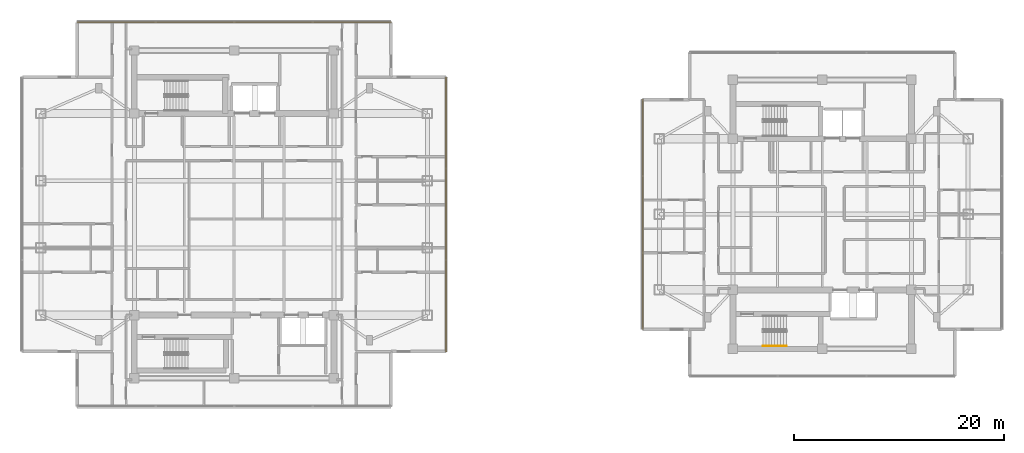
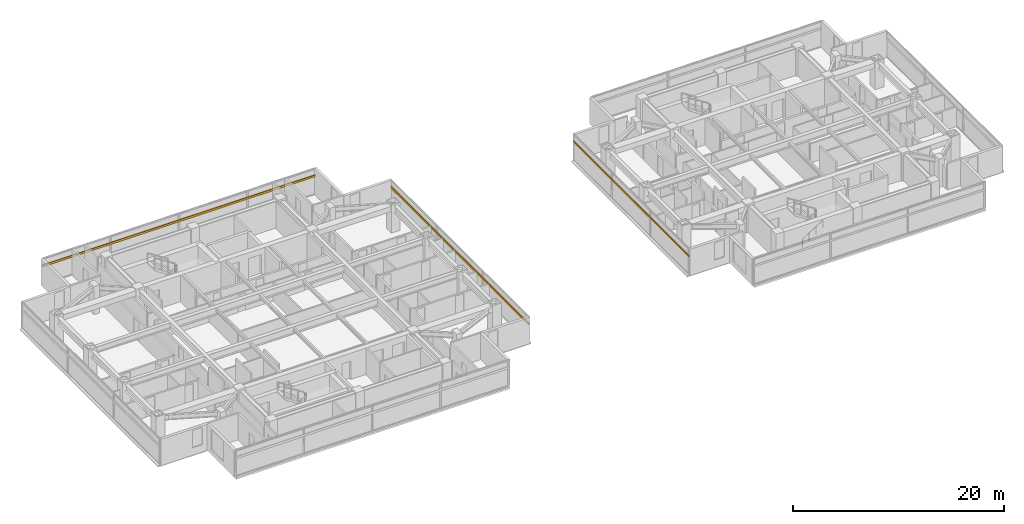
# One storey, part 21 of 24: 3 shading devices, 1 railing.
"""IFC4 building model written with IfcOpenShell, lengths in metres."""

import ifcopenshell
import ifcopenshell.guid

model = None  # the IFC model being written
_history = None  # IfcOwnerHistory: only IFC2X3 demands one
_inside = {}  # id of a spatial element -> (the spatial element, [elements in it])
_under = {}  # id of a project, library or spatial element -> (it, [spatial elements below it])
_declared = {}  # id of a project -> (the project, [libraries it declares])
_typed = {}  # id of a type object -> (the type object, [elements of that type])
_made_of = {}  # id of a material, layer set ... -> (it, [elements and type objects made of it])


def new_model(schema):
    """Start an empty IFC model of exactly this schema.

    Asked for "IFC4X3", IfcOpenShell would pick the latest addendum, in which some entities
    have other attributes; the version numbers below select the first issue.
    IFC2X3 requires an IfcOwnerHistory on every rooted entity: one is made here for all.
    """
    global model, _history
    if schema == "IFC4X3":
        model = ifcopenshell.file(schema_version=(4, 3, 0, 0))
    else:
        model = ifcopenshell.file(schema=schema)
    _inside.clear()
    _under.clear()
    _declared.clear()
    _typed.clear()
    _made_of.clear()
    _history = None
    if model.schema == "IFC2X3":
        org = make("IfcOrganization", Name="unknown")
        user = make(
            "IfcPersonAndOrganization",
            ThePerson=make("IfcPerson", FamilyName="unknown"),
            TheOrganization=org,
        )
        app = make(
            "IfcApplication",
            ApplicationDeveloper=org,
            Version="unknown",
            ApplicationFullName="unknown",
            ApplicationIdentifier="unknown",
        )
        _history = make(
            "IfcOwnerHistory",
            OwningUser=user,
            OwningApplication=app,
            ChangeAction="ADDED",
            CreationDate=0,
        )
    return model


def make(cls, **values):
    """One entity of the class cls with the attributes given. An attribute that is None is left unset."""
    return model.create_entity(
        cls, **{name: value for name, value in values.items() if value is not None}
    )


def rooted(cls, **values):
    """An entity with a GlobalId (a new one), such as an element, a storey or a relation."""
    return make(cls, GlobalId=ifcopenshell.guid.new(), OwnerHistory=_history, **values)


def si_unit(unit_type, name, prefix=None):
    """IfcSIUnit, for example si_unit("LENGTHUNIT", "METRE", prefix="MILLI")."""
    return make("IfcSIUnit", UnitType=unit_type, Prefix=prefix, Name=name)


def assignment(units):
    """IfcUnitAssignment: the units of a project."""
    return None if units is None else make("IfcUnitAssignment", Units=units)


def point(xyz):
    """IfcCartesianPoint."""
    return None if xyz is None else make("IfcCartesianPoint", Coordinates=xyz)


def direction(xyz):
    """IfcDirection."""
    return None if xyz is None else make("IfcDirection", DirectionRatios=xyz)


def frame(location, z_axis=None, x_axis=None):
    """IfcAxis2Placement3D, a coordinate frame: its origin and axes. An axis left out is left unset."""
    return make(
        "IfcAxis2Placement3D",
        Location=point(location),
        Axis=direction(z_axis),
        RefDirection=direction(x_axis),
    )


def frame_2d(location, x_axis=None):
    """IfcAxis2Placement2D, a coordinate frame in the plane: its origin and x axis."""
    return make(
        "IfcAxis2Placement2D", Location=point(location), RefDirection=direction(x_axis)
    )


def origin():
    """The frame at (0, 0, 0) with its axes left unset."""
    return frame((0.0, 0.0, 0.0))


def origin_2d():
    """The frame at (0, 0) in the plane with its x axis left unset."""
    return frame_2d((0.0, 0.0))


def place(relative_to, where):
    """IfcLocalPlacement: puts the frame where relative to a parent placement (None: the world)."""
    return make(
        "IfcLocalPlacement", PlacementRelTo=relative_to, RelativePlacement=where
    )


def context(
    kind, dimensions, precision=None, world=None, true_north=None, identifier=None
):
    """IfcGeometricRepresentationContext, for example the 3D "Model" context."""
    return make(
        "IfcGeometricRepresentationContext",
        ContextIdentifier=identifier,
        ContextType=kind,
        CoordinateSpaceDimension=dimensions,
        Precision=precision,
        WorldCoordinateSystem=world,
        TrueNorth=true_north,
    )


def subcontext(parent, identifier, kind, view, scale=None):
    """IfcGeometricRepresentationSubContext, for example "Body" below "Model"."""
    return make(
        "IfcGeometricRepresentationSubContext",
        ContextIdentifier=identifier,
        ContextType=kind,
        ParentContext=parent,
        TargetScale=scale,
        TargetView=view,
    )


def project(units=None, contexts=None):
    """IfcProject with its units and contexts."""
    return rooted(
        "IfcProject",
        Name="project",
        RepresentationContexts=contexts,
        UnitsInContext=assignment(units),
    )


def spatial(cls, under=None, at=None, **own):
    """A site, building, storey or space (cls), placed at a placement, below another one or the project."""
    s = rooted(cls, ObjectPlacement=at, **own)
    if under is not None:
        _under.setdefault(under.id(), (under, []))[1].append(s)
    return s


def profile(cls, at=None, kind="AREA", **sizes):
    """A parametric profile (cls). Its sizes go by their IFC names, for example OverallWidth=200.0."""
    return make(cls, ProfileType=kind, Position=at, **sizes)


def rectangle(**sizes):
    """IfcRectangleProfileDef."""
    return profile("IfcRectangleProfileDef", **sizes)


def circle(**sizes):
    """IfcCircleProfileDef."""
    return profile("IfcCircleProfileDef", **sizes)


def extrude(swept, where, along, depth):
    """IfcExtrudedAreaSolid: the profile swept, set in the frame where, extruded along a direction by depth."""
    return make(
        "IfcExtrudedAreaSolid",
        SweptArea=swept,
        Position=where,
        ExtrudedDirection=direction(along),
        Depth=depth,
    )


def shape(context_of_items, identifier, shape_type, items):
    """IfcShapeRepresentation: the items that make up one representation, for example the "Body"."""
    return make(
        "IfcShapeRepresentation",
        ContextOfItems=context_of_items,
        RepresentationIdentifier=identifier,
        RepresentationType=shape_type,
        Items=items,
    )


def material(Name=None, Category=None):
    """IfcMaterial."""
    return make("IfcMaterial", Name=Name, Category=Category)


def material_profile(
    of_material, cross_section, Name=None, Category=None, Priority=None
):
    """IfcMaterialProfile: a cross section and its material."""
    return make(
        "IfcMaterialProfile",
        Name=Name,
        Material=of_material,
        Profile=cross_section,
        Priority=Priority,
        Category=Category,
    )


def profile_set(profiles, Name=None, composite=None):
    """IfcMaterialProfileSet."""
    return make(
        "IfcMaterialProfileSet",
        Name=Name,
        MaterialProfiles=profiles,
        CompositeProfile=composite,
    )


def made_of(thing, what):
    """Note that an element or type object is made of a material, layer set ...; save() writes the relation."""
    if what is not None:
        _made_of.setdefault(what.id(), (what, []))[1].append(thing)
    return thing


def type_object(cls, material=None, **own):
    """A type object (cls), such as IfcWallType, which elements share."""
    return made_of(rooted(cls, **own), material)


def element(
    cls,
    number,
    at=None,
    inside=None,
    cuts=None,
    type_object=None,
    material=None,
    context=None,
    identifier="Body",
    shape_type=None,
    held_by="IfcProductDefinitionShape",
    body=None,
    shapes=None,
    **own,
):
    """One element of the class cls, such as IfcWall. Its Tag is "e" and its number.

    at: its placement. inside: the storey or other place that contains it. cuts: it is an
    opening in that element (IfcRelVoidsElement). A single representation is given by context,
    identifier, shape_type and body (its items); several are given by shapes. held_by: the class
    of the entity that holds the representations. save() writes the other relations.
    """
    e = rooted(cls, Tag="e%d" % number, ObjectPlacement=at, **own)
    if body is not None:
        shapes = [shape(context, identifier, shape_type, body)]
    if shapes is not None:
        e.Representation = make(held_by, Representations=shapes)
    if inside is not None:
        _inside.setdefault(inside.id(), (inside, []))[1].append(e)
    if cuts is not None:
        rooted(
            "IfcRelVoidsElement", RelatingBuildingElement=cuts, RelatedOpeningElement=e
        )
    if type_object is not None:
        _typed.setdefault(type_object.id(), (type_object, []))[1].append(e)
    return made_of(e, material)


def aggregate(whole, parts):
    """IfcRelAggregates: a whole, such as a stair, and the parts it consists of."""
    return rooted("IfcRelAggregates", RelatingObject=whole, RelatedObjects=parts)


def save(model, path):
    """Write the relations noted so far, then the file.

    IfcRelAggregates (storeys below a building ...), IfcRelContainedInSpatialStructure (elements
    in a storey), IfcRelDefinesByType, IfcRelAssociatesMaterial and IfcRelDeclares: one each for
    every whole, place, type object, material and project.
    """
    for whole, parts in _under.values():
        aggregate(whole, parts)
    for where, things in _inside.values():
        rooted(
            "IfcRelContainedInSpatialStructure",
            RelatedElements=things,
            RelatingStructure=where,
        )
    for kind, things in _typed.values():
        rooted("IfcRelDefinesByType", RelatedObjects=things, RelatingType=kind)
    for what, things in _made_of.values():
        rooted("IfcRelAssociatesMaterial", RelatedObjects=things, RelatingMaterial=what)
    for by, libraries in _declared.values():
        rooted("IfcRelDeclares", RelatingContext=by, RelatedDefinitions=libraries)
    model.write(path)


model = new_model("IFC4")

# Units and contexts
model_context = context("Model", 3, precision=1e-05, world=origin(), true_north=direction((0.0, 1.0)))
body_context = subcontext(model_context, "Body", "Model", "MODEL_VIEW")
ifc_project = project(units=[si_unit("LENGTHUNIT", "METRE"), si_unit("AREAUNIT", "SQUARE_METRE"), si_unit("VOLUMEUNIT", "CUBIC_METRE"), si_unit("PLANEANGLEUNIT", "RADIAN"), si_unit("MASSUNIT", "GRAM", prefix="KILO")], contexts=[model_context])

# Site, building, storey
site_placement = place(None, origin())
site = spatial("IfcSite", under=ifc_project, at=site_placement, CompositionType="ELEMENT")
building_placement = place(site_placement, origin())
building = spatial("IfcBuilding", under=site, at=building_placement, Name="Mirazonda Arch Towers", CompositionType="ELEMENT")
storey_placement = place(building_placement, frame((0.0, 0.0, 193.39990234375)))
storey = spatial("IfcBuildingStorey", under=building, at=storey_placement, Name="L55", CompositionType="ELEMENT", Elevation=193.39990234375)

# Shading devices
ifc_material_1 = material(Name="Kiln-Fired Architectural Terracotta", Category="masonry")
ifc_material_profile_1 = material_profile(ifc_material_1, rectangle(XDim=0.1201171875, YDim=0.239990234375, at=origin_2d()), Name="TERRA-BAG-120x240")
ifc_profile_set_1 = profile_set([ifc_material_profile_1], Name="Kiln-Fired Architectural Terracotta")
shading_device_type_1 = type_object("IfcShadingDeviceType", Name="BAGUETTE-1", PredefinedType="USERDEFINED", material=ifc_profile_set_1)
shading_device_1_placement = place(storey_placement, frame((40.669921875, 14.930908203125, 2.181640625), z_axis=(0.0, 1.0, 0.0), x_axis=(-1.0, 0.0, 0.0)))
element("IfcShadingDevice", 1, at=shading_device_1_placement, inside=storey, type_object=shading_device_type_1, Name="L55 Glazed Terracotta Sun-Screen Baguette CW-L55-T1-E", ObjectType="BAGUETTE", PredefinedType="USERDEFINED", context=body_context, shape_type="SweptSolid", body=[
    extrude(rectangle(XDim=0.1201171875, YDim=0.239990234375, at=origin_2d()), origin(), (0.0, 0.0, 1.0), 26.13818359375),
])
shading_device_2_placement = place(storey_placement, frame((5.544921875, 46.283935546875, 2.181640625), z_axis=(1.0, 0.0, 0.0), x_axis=(0.0, 1.0, 0.0)))
element("IfcShadingDevice", 2, at=shading_device_2_placement, inside=storey, type_object=shading_device_type_1, Name="L55 Glazed Terracotta Sun-Screen Baguette CW-L55-T1-N", ObjectType="BAGUETTE", PredefinedType="USERDEFINED", context=body_context, shape_type="SweptSolid", body=[
    extrude(rectangle(XDim=0.1201171875, YDim=0.239990234375, at=origin_2d()), origin(), (0.0, 0.0, 1.0), 29.91015625),
])
ifc_material_profile_2 = material_profile(ifc_material_1, rectangle(XDim=0.10009765625, YDim=0.199951171875, at=origin_2d()), Name="TERRA-BAG-100x200")
ifc_profile_set_2 = profile_set([ifc_material_profile_2], Name="Kiln-Fired Architectural Terracotta")
shading_device_type_2 = type_object("IfcShadingDeviceType", Name="BAGUETTE-2", PredefinedType="USERDEFINED", material=ifc_profile_set_2)
shading_device_3_placement = place(storey_placement, frame((59.408447265625, 38.94873046875, 2.181640625), z_axis=(0.0, -1.0, 0.0), x_axis=(1.0, 0.0, 0.0)))
element("IfcShadingDevice", 3, at=shading_device_3_placement, inside=storey, type_object=shading_device_type_2, Name="L55 Glazed Terracotta Sun-Screen Baguette CW-L55-T2-W", ObjectType="BAGUETTE", PredefinedType="USERDEFINED", context=body_context, shape_type="SweptSolid", body=[
    extrude(rectangle(XDim=0.10009765625, YDim=0.199951171875, at=origin_2d()), origin(), (0.0, 0.0, 1.0), 21.8974609375),
])

# Railing
ifc_material_2 = material(Name="Architectural Brushed Steel S355", Category="steel")
railing_type = type_object("IfcRailingType", Name="HANDRAIL-915", PredefinedType="HANDRAIL", material=ifc_material_2)
railing_placement = place(storey_placement, frame((70.85009765625, 15.469970703125, 0.1806640625)))
element("IfcRailing", 4, at=railing_placement, inside=storey, type_object=railing_type, Name="L55 ST-T2S stair handrail 1", PredefinedType="HANDRAIL", context=body_context, shape_type="SweptSolid", body=[
    extrude(circle(Radius=0.02392578125, at=origin_2d()), frame((0.0, 0.0, 0.8759765625), z_axis=(0.840436612492, 0.0, 0.541909863706), x_axis=(0.0, 1.0, 0.0)), (0.0, 0.0, 1.0), 2.665283203125),
    extrude(circle(Radius=0.02099609375, at=origin_2d()), origin(), (0.0, 0.0, 1.0), 0.851806640625),
    extrude(circle(Radius=0.02099609375, at=origin_2d()), frame((0.74658203125, 0.0, 0.4814453125)), (0.0, 0.0, 1.0), 0.851806640625),
    extrude(circle(Radius=0.02099609375, at=origin_2d()), frame((1.493408203125, 0.0, 0.962890625)), (0.0, 0.0, 1.0), 0.851806640625),
    extrude(circle(Radius=0.02099609375, at=origin_2d()), frame((2.239990234375, 0.0, 1.4443359375)), (0.0, 0.0, 1.0), 0.851806640625),
])

save(model, "model.ifc")
